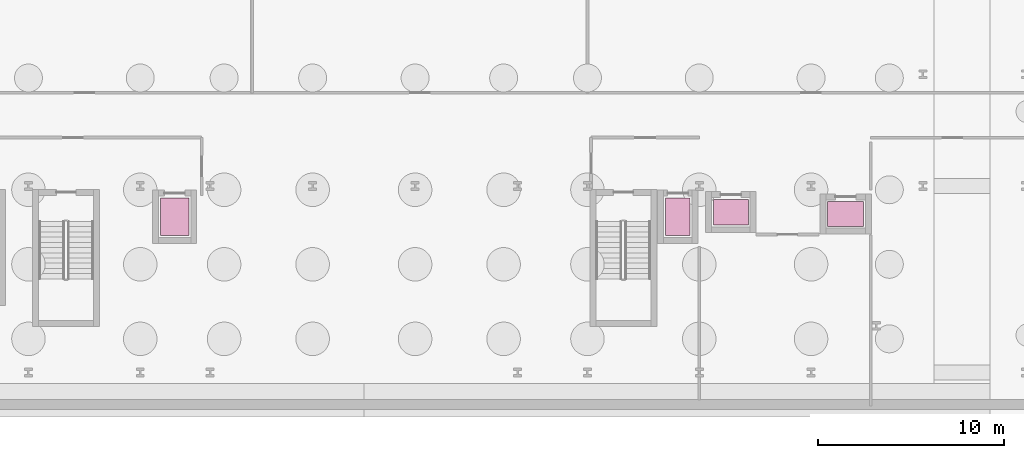
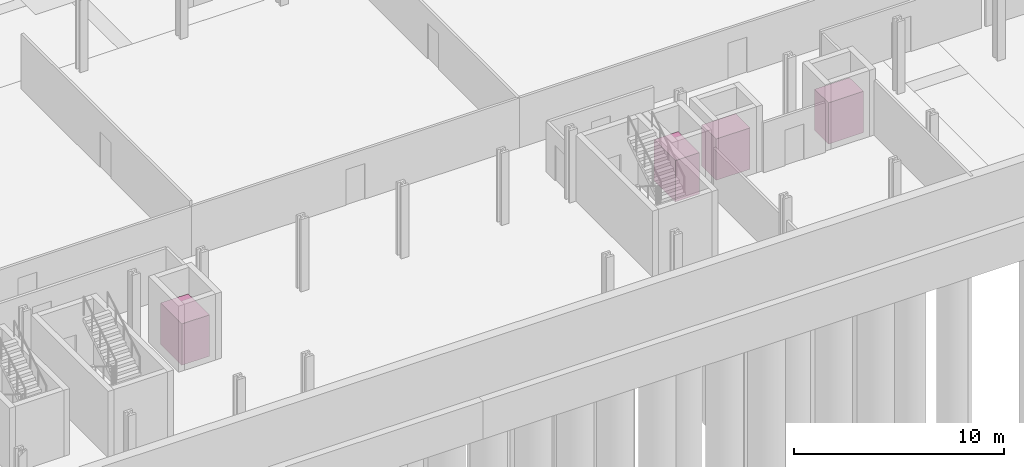
# One storey, part 7 of 7: 4 transport elements.
"""IFC4 building model written with IfcOpenShell, lengths in metres."""

from ifc_helpers import new_model, si_unit, direction, frame, origin, origin_2d, place, context, subcontext, project, spatial, rectangle, extrude, material, type_object, element, save


model = new_model("IFC4")

# Units and contexts
model_context = context("Model", 3, precision=1e-05, world=origin(), true_north=direction((0.0, 1.0)))
body_context = subcontext(model_context, "Body", "Model", "MODEL_VIEW")
ifc_project = project(units=[si_unit("LENGTHUNIT", "METRE"), si_unit("AREAUNIT", "SQUARE_METRE"), si_unit("VOLUMEUNIT", "CUBIC_METRE"), si_unit("PLANEANGLEUNIT", "RADIAN"), si_unit("MASSUNIT", "GRAM", prefix="KILO")], contexts=[model_context])

# Site, building, storey
site_placement = place(None, origin())
site = spatial("IfcSite", under=ifc_project, at=site_placement, CompositionType="ELEMENT")
building_placement = place(site_placement, origin())
building = spatial("IfcBuilding", under=site, at=building_placement, Name="Brevholm Reach", CompositionType="ELEMENT")
storey_placement = place(building_placement, frame((0.0, 0.0, -8.39990234375)))
storey = spatial("IfcBuildingStorey", under=building, at=storey_placement, Name="B02", CompositionType="ELEMENT", Elevation=-8.39990234375)

# Transport elements
ifc_material_1 = material(Name="Brushed Satin Stainless Steel EN 1.4301 Lift Cab", Category="steel")
transport_element_type_1 = type_object("IfcTransportElementType", Name="LFT-FFL-1600", PredefinedType="ELEVATOR", material=ifc_material_1)
transport_element_1_placement = place(storey_placement, frame((19.85009765625, 8.35009765625, 0.0), z_axis=(0.0, 0.0, 1.0), x_axis=(1.0, 0.0, 0.0)))
element("IfcTransportElement", 1, at=transport_element_1_placement, inside=storey, type_object=transport_element_type_1, Name="Firefighting Lift FFL-1", PredefinedType="ELEVATOR", context=body_context, shape_type="SweptSolid", body=[
    extrude(rectangle(XDim=1.52001953125, YDim=2.02001953125, at=origin_2d()), origin(), (0.0, 0.0, 1.0), 2.39990234375),
])
transport_element_2_placement = place(storey_placement, frame((46.85009765625, 8.35009765625, 0.0), z_axis=(0.0, 0.0, 1.0), x_axis=(1.0, 0.0, 0.0)))
element("IfcTransportElement", 2, at=transport_element_2_placement, inside=storey, type_object=transport_element_type_1, Name="Firefighting Lift FFL-2", PredefinedType="ELEVATOR", context=body_context, shape_type="SweptSolid", body=[
    extrude(rectangle(XDim=1.320068359375, YDim=2.02001953125, at=origin_2d()), origin(), (0.0, 0.0, 1.0), 2.39990234375),
])
ifc_material_2 = material(Name="Brushed Satin Stainless Steel EN 1.4301 Lift Cab", Category="steel")
transport_element_type_2 = type_object("IfcTransportElementType", Name="LFT-PAS-1350", PredefinedType="ELEVATOR", material=ifc_material_2)
transport_element_3_placement = place(storey_placement, frame((49.699951171875, 8.60009765625, 0.0), z_axis=(0.0, 0.0, 1.0), x_axis=(1.0, 0.0, 0.0)))
element("IfcTransportElement", 3, at=transport_element_3_placement, inside=storey, type_object=transport_element_type_2, Name="Passenger Lift PL-L1", PredefinedType="ELEVATOR", context=body_context, shape_type="SweptSolid", body=[
    extrude(rectangle(XDim=1.8701171875, YDim=1.3701171875, at=origin_2d()), origin(), (0.0, 0.0, 1.0), 2.39990234375),
])
transport_element_4_placement = place(storey_placement, frame((55.85009765625, 8.5, 0.0), z_axis=(0.0, 0.0, 1.0), x_axis=(1.0, 0.0, 0.0)))
element("IfcTransportElement", 4, at=transport_element_4_placement, inside=storey, type_object=transport_element_type_2, Name="Passenger Lift PL-L2", PredefinedType="ELEVATOR", context=body_context, shape_type="SweptSolid", body=[
    extrude(rectangle(XDim=1.919921875, YDim=1.320068359375, at=origin_2d()), origin(), (0.0, 0.0, 1.0), 2.39990234375),
])

save(model, "model.ifc")
